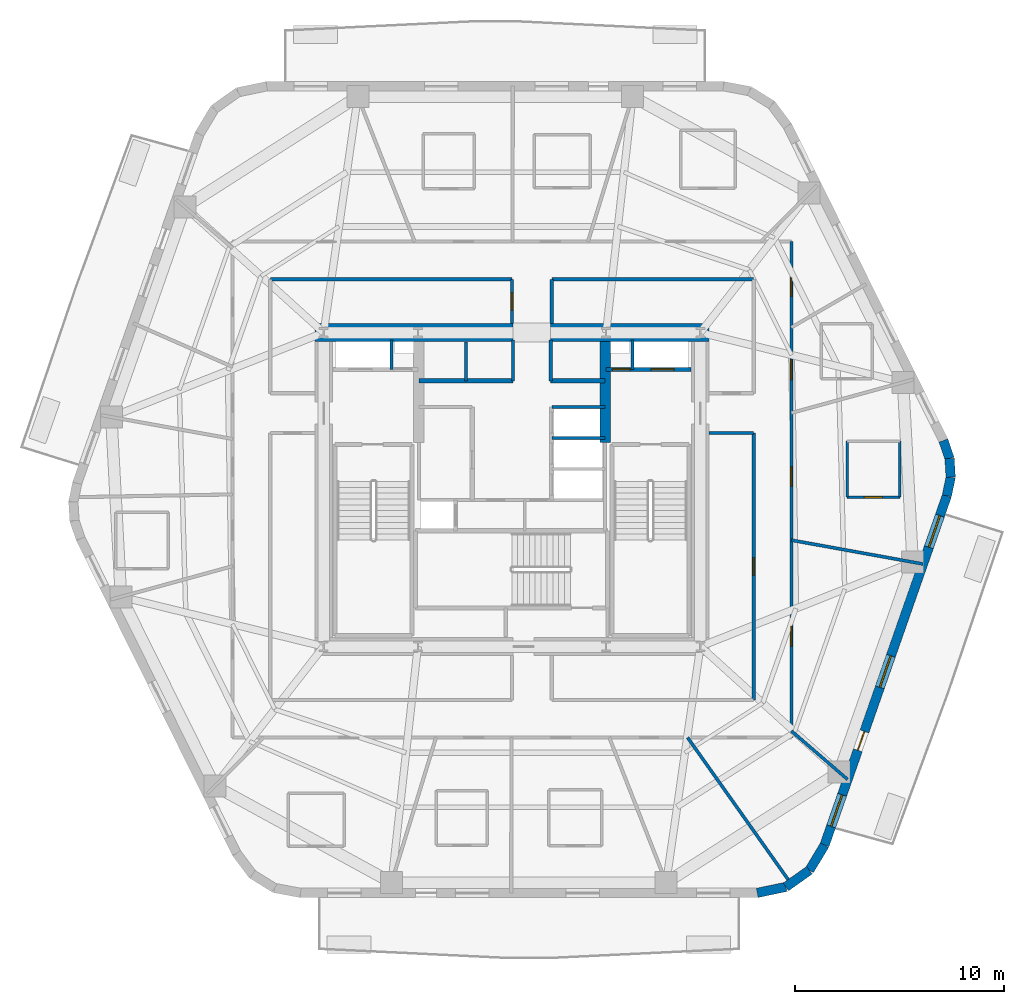
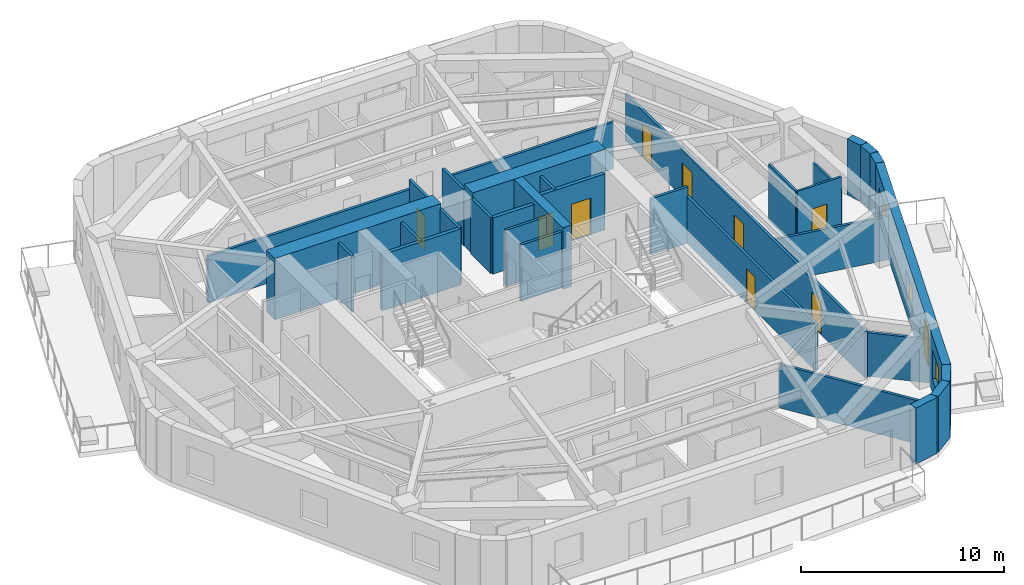
# One storey, part 5 of 11: 33 walls, 10 doors, 3 windows, 13 openings.
"""IFC4 building model written with IfcOpenShell, lengths in metres."""

from ifc_helpers import new_model, si_unit, direction, frame, frame_2d, origin, place, context, subcontext, project, spatial, rectangle, extrude, material, layer, layer_set, type_object, element, fill, save


model = new_model("IFC4")

# Units and contexts
model_context = context("Model", 3, precision=1e-05, world=origin(), true_north=direction((0.0, 1.0)))
body_context = subcontext(model_context, "Body", "Model", "MODEL_VIEW")
ifc_project = project(units=[si_unit("LENGTHUNIT", "METRE"), si_unit("AREAUNIT", "SQUARE_METRE"), si_unit("VOLUMEUNIT", "CUBIC_METRE"), si_unit("PLANEANGLEUNIT", "RADIAN"), si_unit("MASSUNIT", "GRAM", prefix="KILO")], contexts=[model_context])

# Site, building, storey
site_placement = place(None, origin())
site = spatial("IfcSite", under=ifc_project, at=site_placement, CompositionType="ELEMENT")
building_placement = place(site_placement, origin())
building = spatial("IfcBuilding", under=site, at=building_placement, Name="Kilnhurst Terrace Hotel", CompositionType="ELEMENT")
storey_placement = place(building_placement, frame((0.0, 0.0, 166.5)))
storey = spatial("IfcBuildingStorey", under=building, at=storey_placement, Name="L41", CompositionType="ELEMENT", Elevation=166.5)

# Walls
ifc_material_1 = material(Name="Precast concrete C40/50", Category="concrete")
ifc_layer_1 = layer(ifc_material_1, 0.449951171875, Name="Precast concrete C40/50")
ifc_layer_set_1 = layer_set([ifc_layer_1], Name="Precast concrete C40/50")
wall_type_1 = type_object("IfcWallType", Name="WL-BRK-450", PredefinedType="SOLIDWALL", material=ifc_layer_set_1)
wall_1_placement = place(storey_placement, frame((11.720458984375, -19.27490234375, 0.0), z_axis=(0.0, 0.0, 1.0), x_axis=(0.97893106758, 0.204191001093, 0.0)))
element("IfcWall", 1, at=wall_1_placement, inside=storey, type_object=wall_type_1, Name="L41 Rounded Corner Brick Wall C2.1", PredefinedType="SOLIDWALL", context=body_context, shape_type="SweptSolid", body=[
    extrude(rectangle(XDim=1.400146484375, YDim=0.449951171875, at=frame_2d((0.7001953125, 0.0))), origin(), (0.0, 0.0, 1.0), 3.3798828125),
])
wall_2_placement = place(storey_placement, frame((13.091064453125, -18.989013671875, 0.0), z_axis=(0.0, 0.0, 1.0), x_axis=(0.815574637848, 0.578651890258, 0.0)))
element("IfcWall", 2, at=wall_2_placement, inside=storey, type_object=wall_type_1, Name="L41 Rounded Corner Brick Wall C2.2", PredefinedType="SOLIDWALL", context=body_context, shape_type="SweptSolid", body=[
    extrude(rectangle(XDim=1.376708984375, YDim=0.449951171875, at=frame_2d((0.6884765625, 0.0))), origin(), (0.0, 0.0, 1.0), 3.3798828125),
])
wall_3_placement = place(storey_placement, frame((14.2138671875, -18.1923828125, 0.0), z_axis=(0.0, 0.0, 1.0), x_axis=(0.516340945502, 0.856383108193, 0.0)))
element("IfcWall", 3, at=wall_3_placement, inside=storey, type_object=wall_type_1, Name="L41 Rounded Corner Brick Wall C2.3", PredefinedType="SOLIDWALL", context=body_context, shape_type="SweptSolid", body=[
    extrude(rectangle(XDim=1.400146484375, YDim=0.449951171875, at=frame_2d((0.7001953125, 0.0))), origin(), (0.0, 0.0, 1.0), 3.3798828125),
])
wall_4_placement = place(storey_placement, frame((20.78173828125, -0.298095703125, 0.0), z_axis=(0.0, 0.0, 1.0), x_axis=(0.202570068411, 0.979267771033, 0.0)))
element("IfcWall", 4, at=wall_4_placement, inside=storey, type_object=wall_type_1, Name="L41 Rounded Corner Brick Wall C3.1", PredefinedType="SOLIDWALL", context=body_context, shape_type="SweptSolid", body=[
    extrude(rectangle(XDim=0.90869140625, YDim=0.449951171875, at=frame_2d((0.454345703125, 0.0))), origin(), (0.0, 0.0, 1.0), 3.3798828125),
])
wall_5_placement = place(storey_placement, frame((20.9658203125, 0.591796875, 0.0), z_axis=(0.0, 0.0, 1.0), x_axis=(-0.061748898935, 0.998091715966, 0.0)))
element("IfcWall", 5, at=wall_5_placement, inside=storey, type_object=wall_type_1, Name="L41 Rounded Corner Brick Wall C3.2", PredefinedType="SOLIDWALL", context=body_context, shape_type="SweptSolid", body=[
    extrude(rectangle(XDim=0.8935546875, YDim=0.449951171875, at=frame_2d((0.44677734375, 0.0))), origin(), (0.0, 0.0, 1.0), 3.3798828125),
])
wall_6_placement = place(storey_placement, frame((20.91064453125, 1.483642578125, 0.0), z_axis=(0.0, 0.0, 1.0), x_axis=(-0.321623334353, 0.946867694453, 0.0)))
element("IfcWall", 6, at=wall_6_placement, inside=storey, type_object=wall_type_1, Name="L41 Rounded Corner Brick Wall C3.3", PredefinedType="SOLIDWALL", context=body_context, shape_type="SweptSolid", body=[
    extrude(rectangle(XDim=0.90869140625, YDim=0.449951171875, at=frame_2d((0.454345703125, 0.0))), origin(), (0.0, 0.0, 1.0), 3.3798828125),
])

# Wall, openings, door, windows
wall_7_placement = place(storey_placement, frame((14.936767578125, -16.993408203125, 0.0), z_axis=(0.0, 0.0, 1.0), x_axis=(0.330431575061, 0.943829949834, 0.0)))
wall_7 = element("IfcWall", 7, at=wall_7_placement, inside=storey, type_object=wall_type_1, Name="L41 Exterior Brick Facade Wall F2", PredefinedType="SOLIDWALL", context=body_context, shape_type="SweptSolid", body=[
    extrude(rectangle(XDim=17.68896484375, YDim=0.449951171875, at=frame_2d((8.844482421875, 0.0))), origin(), (0.0, 0.0, 1.0), 3.3798828125),
])
opening_1_placement = place(wall_7_placement, frame((4.806884765625, 0.0, 0.0)))
opening_1 = element("IfcOpeningElement", 8, at=opening_1_placement, cuts=wall_7, Name="Opening BD-950", PredefinedType="OPENING", context=body_context, shape_type="SweptSolid", body=[
    extrude(rectangle(XDim=0.949951171875, YDim=2.14990234375, at=frame_2d((0.47509765625, 1.074951171875))), frame((0.0, 0.23486328125, 0.0), z_axis=(0.0, -1.0, 0.0), x_axis=(1.0, 0.0, 0.0)), (0.0, 0.0, 1.0), 0.469970703125),
])
opening_2_placement = place(wall_7_placement, frame((0.949951171875, 0.0, 0.800048828125)))
opening_2 = element("IfcOpeningElement", 9, at=opening_2_placement, cuts=wall_7, Name="Opening W-05", PredefinedType="OPENING", context=body_context, shape_type="SweptSolid", body=[
    extrude(rectangle(XDim=1.60009765625, YDim=1.75, at=frame_2d((0.800048828125, 0.875))), frame((0.0, 0.23486328125, 0.0), z_axis=(0.0, -1.0, 0.0), x_axis=(1.0, 0.0, 0.0)), (0.0, 0.0, 1.0), 0.469970703125),
])
opening_3_placement = place(wall_7_placement, frame((7.989990234375, 0.0, 0.800048828125)))
opening_3 = element("IfcOpeningElement", 10, at=opening_3_placement, cuts=wall_7, Name="Opening W-05", PredefinedType="OPENING", context=body_context, shape_type="SweptSolid", body=[
    extrude(rectangle(XDim=1.60009765625, YDim=1.75, at=frame_2d((0.800048828125, 0.875))), frame((0.0, 0.23486328125, 0.0), z_axis=(0.0, -1.0, 0.0), x_axis=(1.0, 0.0, 0.0)), (0.0, 0.0, 1.0), 0.469970703125),
])
opening_4_placement = place(wall_7_placement, frame((15.083984375, 0.0, 0.800048828125)))
opening_4 = element("IfcOpeningElement", 11, at=opening_4_placement, cuts=wall_7, Name="Opening W-05", PredefinedType="OPENING", context=body_context, shape_type="SweptSolid", body=[
    extrude(rectangle(XDim=1.60009765625, YDim=1.75, at=frame_2d((0.800048828125, 0.875))), frame((0.0, 0.23486328125, 0.0), z_axis=(0.0, -1.0, 0.0), x_axis=(1.0, 0.0, 0.0)), (0.0, 0.0, 1.0), 0.469970703125),
])
ifc_material_2 = material(Name="Thermally Broken Bronze Aluminium Alloy 6063-T6 and Laminated Glass", Category="aluminium")
door_type_1 = type_object("IfcDoorType", Name="DR-EXT-BAL-950", OperationType="NOTDEFINED", PredefinedType="DOOR", material=ifc_material_2)
door_1_placement = place(opening_1_placement, origin())
door_1 = element("IfcDoor", 12, at=door_1_placement, inside=storey, type_object=door_type_1, Name="L41 Planted Balcony Door BAL-L1B", OperationType="SINGLE_SWING_RIGHT", OverallHeight=2.14990234375, OverallWidth=0.949951171875, PredefinedType="DOOR", context=body_context, shape_type="SweptSolid", body=[
    extrude(rectangle(XDim=0.949951171875, YDim=2.14990234375, at=frame_2d((0.47509765625, 1.074951171875))), frame((0.0, 0.02490234375, 0.0), z_axis=(0.0, -1.0, 0.0), x_axis=(1.0, 0.0, 0.0)), (0.0, 0.0, 1.0), 0.050048828125),
])
fill(opening_1, door_1)
ifc_material_3 = material(Name="Thermally Broken Bronze Aluminium Alloy 6063-T6 and Low-E Glass", Category="aluminium")
window_type = type_object("IfcWindowType", Name="WIN-1600X1750", PartitioningType="SINGLE_PANEL", PredefinedType="WINDOW", material=ifc_material_3)
window_1_placement = place(opening_2_placement, origin())
window_1 = element("IfcWindow", 13, at=window_1_placement, inside=storey, type_object=window_type, Name="L41 Deep-Set Masonry Window F2.1", OverallHeight=1.75, OverallWidth=1.60009765625, PartitioningType="SINGLE_PANEL", PredefinedType="WINDOW", context=body_context, shape_type="SweptSolid", body=[
    extrude(rectangle(XDim=1.60009765625, YDim=1.75, at=frame_2d((0.800048828125, 0.875))), frame((0.0, 0.030029296875, 0.0), z_axis=(0.0, -1.0, 0.0), x_axis=(1.0, 0.0, 0.0)), (0.0, 0.0, 1.0), 0.06005859375),
])
fill(opening_2, window_1)
window_2_placement = place(opening_3_placement, origin())
window_2 = element("IfcWindow", 14, at=window_2_placement, inside=storey, type_object=window_type, Name="L41 Deep-Set Masonry Window F2.2", OverallHeight=1.75, OverallWidth=1.60009765625, PartitioningType="SINGLE_PANEL", PredefinedType="WINDOW", context=body_context, shape_type="SweptSolid", body=[
    extrude(rectangle(XDim=1.60009765625, YDim=1.75, at=frame_2d((0.800048828125, 0.875))), frame((0.0, 0.030029296875, 0.0), z_axis=(0.0, -1.0, 0.0), x_axis=(1.0, 0.0, 0.0)), (0.0, 0.0, 1.0), 0.06005859375),
])
fill(opening_3, window_2)
window_3_placement = place(opening_4_placement, origin())
window_3 = element("IfcWindow", 15, at=window_3_placement, inside=storey, type_object=window_type, Name="L41 Deep-Set Masonry Window F2.3", OverallHeight=1.75, OverallWidth=1.60009765625, PartitioningType="SINGLE_PANEL", PredefinedType="WINDOW", context=body_context, shape_type="SweptSolid", body=[
    extrude(rectangle(XDim=1.60009765625, YDim=1.75, at=frame_2d((0.800048828125, 0.875))), frame((0.0, 0.030029296875, 0.0), z_axis=(0.0, -1.0, 0.0), x_axis=(1.0, 0.0, 0.0)), (0.0, 0.0, 1.0), 0.06005859375),
])
fill(opening_4, window_3)

# Wall, openings, doors
ifc_material_4 = material(Name="Acoustic Double-Gypsum Corridor Partition Assembly")
ifc_layer_2 = layer(ifc_material_4, 0.14990234375, Name="Acoustic Double-Gypsum Corridor Partition Assembly")
ifc_layer_set_2 = layer_set([ifc_layer_2], Name="Acoustic Double-Gypsum Corridor Partition Assembly")
wall_type_2 = type_object("IfcWallType", Name="WL-COR-150", PredefinedType="PARTITIONING", material=ifc_layer_set_2)
wall_8_placement = place(storey_placement, frame((13.35009765625, 11.85009765625, 0.0), z_axis=(0.0, 0.0, 1.0), x_axis=(0.0, -1.0, 0.0)))
wall_8 = element("IfcWall", 16, at=wall_8_placement, inside=storey, type_object=wall_type_2, Name="L41 Interior Wall WL-L41-COR-04", PredefinedType="PARTITIONING", context=body_context, shape_type="SweptSolid", body=[
    extrude(rectangle(XDim=23.7001953125, YDim=0.14990234375, at=frame_2d((11.85009765625, 0.0))), origin(), (0.0, 0.0, 1.0), 2.820068359375),
])
opening_5_placement = place(wall_8_placement, frame((5.652099609375, 0.0, 0.0)))
opening_5 = element("IfcOpeningElement", 17, at=opening_5_placement, cuts=wall_8, Name="Opening D-60B", PredefinedType="OPENING", context=body_context, shape_type="SweptSolid", body=[
    extrude(rectangle(XDim=0.949951171875, YDim=2.030029296875, at=frame_2d((0.47509765625, 1.01513671875))), frame((0.0, 0.0849609375, 0.0), z_axis=(0.0, -1.0, 0.0), x_axis=(1.0, 0.0, 0.0)), (0.0, 0.0, 1.0), 0.169921875),
])
opening_6_placement = place(wall_8_placement, frame((1.720947265625, 0.0, 0.0)))
opening_6 = element("IfcOpeningElement", 18, at=opening_6_placement, cuts=wall_8, Name="Opening D-60C", PredefinedType="OPENING", context=body_context, shape_type="SweptSolid", body=[
    extrude(rectangle(XDim=0.89990234375, YDim=2.030029296875, at=frame_2d((0.449951171875, 1.01513671875))), frame((0.0, 0.0849609375, 0.0), z_axis=(0.0, -1.0, 0.0), x_axis=(1.0, 0.0, 0.0)), (0.0, 0.0, 1.0), 0.169921875),
])
opening_7_placement = place(wall_8_placement, frame((18.388916015625, 0.0, 0.0)))
opening_7 = element("IfcOpeningElement", 19, at=opening_7_placement, cuts=wall_8, Name="Opening D-60B", PredefinedType="OPENING", context=body_context, shape_type="SweptSolid", body=[
    extrude(rectangle(XDim=0.949951171875, YDim=2.030029296875, at=frame_2d((0.47509765625, 1.01513671875))), frame((0.0, 0.0849609375, 0.0), z_axis=(0.0, -1.0, 0.0), x_axis=(1.0, 0.0, 0.0)), (0.0, 0.0, 1.0), 0.169921875),
])
opening_8_placement = place(wall_8_placement, frame((10.7509765625, 0.0, 0.0)))
opening_8 = element("IfcOpeningElement", 20, at=opening_8_placement, cuts=wall_8, Name="Opening D-60B", PredefinedType="OPENING", context=body_context, shape_type="SweptSolid", body=[
    extrude(rectangle(XDim=0.949951171875, YDim=2.030029296875, at=frame_2d((0.47509765625, 1.01513671875))), frame((0.0, 0.0849609375, 0.0), z_axis=(0.0, -1.0, 0.0), x_axis=(1.0, 0.0, 0.0)), (0.0, 0.0, 1.0), 0.169921875),
])
ifc_material_5 = material(Name="Painted Solid-Core Service Fire Door")
door_type_2 = type_object("IfcDoorType", Name="DR-FD60-900", OperationType="NOTDEFINED", PredefinedType="DOOR", material=ifc_material_5)
door_2_placement = place(opening_6_placement, origin())
door_2 = element("IfcDoor", 21, at=door_2_placement, inside=storey, type_object=door_type_2, Name="L41 Private Study Salon Door 2", OperationType="SINGLE_SWING_RIGHT", OverallHeight=2.030029296875, OverallWidth=0.89990234375, PredefinedType="DOOR", context=body_context, shape_type="SweptSolid", body=[
    extrude(rectangle(XDim=0.89990234375, YDim=2.030029296875, at=frame_2d((0.449951171875, 1.01513671875))), frame((0.0, 0.02490234375, 0.0), z_axis=(0.0, -1.0, 0.0), x_axis=(1.0, 0.0, 0.0)), (0.0, 0.0, 1.0), 0.050048828125),
])
fill(opening_6, door_2)
ifc_material_6 = material(Name="Acoustic Walnut Veneer Solid-Core Fire Door")
door_type_3 = type_object("IfcDoorType", Name="DR-FD60-950", OperationType="NOTDEFINED", PredefinedType="DOOR", material=ifc_material_6)
door_3_placement = place(opening_5_placement, origin())
door_3 = element("IfcDoor", 22, at=door_3_placement, inside=storey, type_object=door_type_3, Name="L41 Guest Room Entry Door 1", OperationType="SINGLE_SWING_LEFT", OverallHeight=2.030029296875, OverallWidth=0.949951171875, PredefinedType="DOOR", context=body_context, shape_type="SweptSolid", body=[
    extrude(rectangle(XDim=0.949951171875, YDim=2.030029296875, at=frame_2d((0.47509765625, 1.01513671875))), frame((0.0, 0.02490234375, 0.0), z_axis=(0.0, -1.0, 0.0), x_axis=(1.0, 0.0, 0.0)), (0.0, 0.0, 1.0), 0.050048828125),
])
fill(opening_5, door_3)
door_4_placement = place(opening_7_placement, origin())
door_4 = element("IfcDoor", 23, at=door_4_placement, inside=storey, type_object=door_type_3, Name="L41 Executive Office Door", OperationType="SINGLE_SWING_LEFT", OverallHeight=2.030029296875, OverallWidth=0.949951171875, PredefinedType="DOOR", context=body_context, shape_type="SweptSolid", body=[
    extrude(rectangle(XDim=0.949951171875, YDim=2.030029296875, at=frame_2d((0.47509765625, 1.01513671875))), frame((0.0, 0.02490234375, 0.0), z_axis=(0.0, -1.0, 0.0), x_axis=(1.0, 0.0, 0.0)), (0.0, 0.0, 1.0), 0.050048828125),
])
fill(opening_7, door_4)
door_5_placement = place(opening_8_placement, origin())
door_5 = element("IfcDoor", 24, at=door_5_placement, inside=storey, type_object=door_type_3, Name="L41 Guest Room Entry Door 18", OperationType="SINGLE_SWING_RIGHT", OverallHeight=2.030029296875, OverallWidth=0.949951171875, PredefinedType="DOOR", context=body_context, shape_type="SweptSolid", body=[
    extrude(rectangle(XDim=0.949951171875, YDim=2.030029296875, at=frame_2d((0.47509765625, 1.01513671875))), frame((0.0, 0.02490234375, 0.0), z_axis=(0.0, -1.0, 0.0), x_axis=(1.0, 0.0, 0.0)), (0.0, 0.0, 1.0), 0.050048828125),
])
fill(opening_8, door_5)

# Wall, opening, door
wall_9_placement = place(storey_placement, frame((11.550048828125, -10.050048828125, 0.0), z_axis=(0.0, 0.0, 1.0), x_axis=(0.0, 1.0, 0.0)))
wall_9 = element("IfcWall", 25, at=wall_9_placement, inside=storey, type_object=wall_type_2, Name="L41 Interior Wall WL-L41-COR-05", PredefinedType="PARTITIONING", context=body_context, shape_type="SweptSolid", body=[
    extrude(rectangle(XDim=12.75, YDim=0.14990234375, at=frame_2d((6.375, 0.0))), origin(), (0.0, 0.0, 1.0), 2.820068359375),
])
opening_9_placement = place(wall_9_placement, frame((5.949951171875, 0.0, 0.0)))
opening_9 = element("IfcOpeningElement", 26, at=opening_9_placement, cuts=wall_9, Name="Opening D-60D", PredefinedType="OPENING", context=body_context, shape_type="SweptSolid", body=[
    extrude(rectangle(XDim=0.85009765625, YDim=2.030029296875, at=frame_2d((0.425048828125, 1.01513671875))), frame((0.0, 0.0849609375, 0.0), z_axis=(0.0, -1.0, 0.0), x_axis=(1.0, 0.0, 0.0)), (0.0, 0.0, 1.0), 0.169921875),
])
ifc_material_7 = material(Name="Painted Hollow Metal Steel ASTM A36 Riser Door", Category="steel")
door_type_4 = type_object("IfcDoorType", Name="DR-FD60-850", OperationType="NOTDEFINED", PredefinedType="DOOR", material=ifc_material_7)
door_6_placement = place(opening_9_placement, origin())
door_6 = element("IfcDoor", 27, at=door_6_placement, inside=storey, type_object=door_type_4, Name="L41 Floor Electrical Switch Room Door", OperationType="SINGLE_SWING_RIGHT", OverallHeight=2.030029296875, OverallWidth=0.85009765625, PredefinedType="DOOR", context=body_context, shape_type="SweptSolid", body=[
    extrude(rectangle(XDim=0.85009765625, YDim=2.030029296875, at=frame_2d((0.425048828125, 1.01513671875))), frame((0.0, 0.02490234375, 0.0), z_axis=(0.0, -1.0, 0.0), x_axis=(1.0, 0.0, 0.0)), (0.0, 0.0, 1.0), 0.050048828125),
])
fill(opening_9, door_6)

# Walls
wall_10_placement = place(storey_placement, frame((11.550048828125, 2.699951171875, 0.0), z_axis=(0.0, 0.0, 1.0), x_axis=(-1.0, 0.0, 0.0)))
element("IfcWall", 28, at=wall_10_placement, inside=storey, type_object=wall_type_2, Name="L41 Interior Wall WL-L41-COR-06", PredefinedType="PARTITIONING", context=body_context, shape_type="SweptSolid", body=[
    extrude(rectangle(XDim=2.125, YDim=0.14990234375, at=frame_2d((1.0625, 0.0))), origin(), (0.0, 0.0, 1.0), 3.3798828125),
])
wall_11_placement = place(storey_placement, frame((11.550048828125, 10.050048828125, 0.0), z_axis=(0.0, 0.0, 1.0), x_axis=(-1.0, 0.0, 0.0)))
element("IfcWall", 29, at=wall_11_placement, inside=storey, type_object=wall_type_2, Name="L41 Interior Wall WL-L41-COR-09", PredefinedType="PARTITIONING", context=body_context, shape_type="SweptSolid", body=[
    extrude(rectangle(XDim=9.650146484375, YDim=0.14990234375, at=frame_2d((4.8251953125, 0.0))), origin(), (0.0, 0.0, 1.0), 2.820068359375),
])
wall_12_placement = place(storey_placement, frame((1.89990234375, 10.050048828125, 0.0), z_axis=(0.0, 0.0, 1.0), x_axis=(0.0, -1.0, 0.0)))
element("IfcWall", 30, at=wall_12_placement, inside=storey, type_object=wall_type_2, Name="L41 Interior Wall WL-L41-COR-10", PredefinedType="PARTITIONING", context=body_context, shape_type="SweptSolid", body=[
    extrude(rectangle(XDim=2.125, YDim=0.14990234375, at=frame_2d((1.0625, 0.0))), origin(), (0.0, 0.0, 1.0), 3.3798828125),
])

# Wall, opening, door
wall_13_placement = place(storey_placement, frame((0.0, 7.925048828125, 0.0), z_axis=(0.0, 0.0, 1.0), x_axis=(0.0, 1.0, 0.0)))
wall_13 = element("IfcWall", 31, at=wall_13_placement, inside=storey, type_object=wall_type_2, Name="L41 Interior Wall WL-L41-COR-11", PredefinedType="PARTITIONING", context=body_context, shape_type="SweptSolid", body=[
    extrude(rectangle(XDim=2.125, YDim=0.14990234375, at=frame_2d((1.0625, 0.0))), origin(), (0.0, 0.0, 1.0), 3.3798828125),
])
opening_10_placement = place(wall_13_placement, frame((0.637939453125, 0.0, 0.0)))
opening_10 = element("IfcOpeningElement", 32, at=opening_10_placement, cuts=wall_13, Name="Opening D-60D", PredefinedType="OPENING", context=body_context, shape_type="SweptSolid", body=[
    extrude(rectangle(XDim=0.85009765625, YDim=2.030029296875, at=frame_2d((0.425048828125, 1.01513671875))), frame((0.0, 0.0849609375, 0.0), z_axis=(0.0, -1.0, 0.0), x_axis=(1.0, 0.0, 0.0)), (0.0, 0.0, 1.0), 0.169921875),
])
door_7_placement = place(opening_10_placement, origin())
door_7 = element("IfcDoor", 33, at=door_7_placement, inside=storey, type_object=door_type_4, Name="L41 Floor Valet Equipment Store Door", OperationType="SINGLE_SWING_RIGHT", OverallHeight=2.030029296875, OverallWidth=0.85009765625, PredefinedType="DOOR", context=body_context, shape_type="SweptSolid", body=[
    extrude(rectangle(XDim=0.85009765625, YDim=2.030029296875, at=frame_2d((0.425048828125, 1.01513671875))), frame((0.0, 0.02490234375, 0.0), z_axis=(0.0, -1.0, 0.0), x_axis=(1.0, 0.0, 0.0)), (0.0, 0.0, 1.0), 0.050048828125),
])
fill(opening_10, door_7)

# Walls
wall_14_placement = place(storey_placement, frame((0.0, 10.050048828125, 0.0), z_axis=(0.0, 0.0, 1.0), x_axis=(-1.0, 0.0, 0.0)))
element("IfcWall", 34, at=wall_14_placement, inside=storey, type_object=wall_type_2, Name="L41 Interior Wall WL-L41-COR-12", PredefinedType="PARTITIONING", context=body_context, shape_type="SweptSolid", body=[
    extrude(rectangle(XDim=11.550048828125, YDim=0.14990234375, at=frame_2d((5.77490234375, 0.0))), origin(), (0.0, 0.0, 1.0), 2.820068359375),
])
ifc_material_8 = material(Name="Concrete C80/95", Category="concrete")
ifc_layer_3 = layer(ifc_material_8, 0.85009765625, Name="Concrete C80/95")
ifc_layer_set_3 = layer_set([ifc_layer_3], Name="Concrete C80/95")
wall_type_3 = type_object("IfcWallType", Name="WL-CORE-850", PredefinedType="SHEAR", material=ifc_layer_set_3)
wall_15_placement = place(storey_placement, frame((-9.425048828125, 7.5, 0.0), z_axis=(0.0, 0.0, 1.0), x_axis=(1.0, 0.0, 0.0)))
element("IfcWall", 35, at=wall_15_placement, inside=storey, type_object=wall_type_3, Name="L41 Core North West Shear Wall", PredefinedType="SHEAR", context=body_context, shape_type="SweptSolid", body=[
    extrude(rectangle(XDim=9.47509765625, YDim=0.85009765625, at=frame_2d((4.737548828125, 0.0))), origin(), (0.0, 0.0, 1.0), 3.699951171875),
])
wall_16_placement = place(storey_placement, frame((1.85009765625, 7.5, 0.0), z_axis=(0.0, 0.0, 1.0), x_axis=(1.0, 0.0, 0.0)))
element("IfcWall", 36, at=wall_16_placement, inside=storey, type_object=wall_type_3, Name="L41 Core North East Shear Wall", PredefinedType="SHEAR", context=body_context, shape_type="SweptSolid", body=[
    extrude(rectangle(XDim=7.574951171875, YDim=0.85009765625, at=frame_2d((3.78759765625, 0.0))), origin(), (0.0, 0.0, 1.0), 3.699951171875),
])
ifc_material_9 = material(Name="Concrete C60/75", Category="concrete")
ifc_layer_4 = layer(ifc_material_9, 0.5, Name="Concrete C60/75")
ifc_layer_set_4 = layer_set([ifc_layer_4], Name="Concrete C60/75")
wall_type_4 = type_object("IfcWallType", Name="WL-CORE-WEB-500", PredefinedType="SHEAR", material=ifc_layer_set_4)
wall_17_placement = place(storey_placement, frame((4.449951171875, 2.25, 0.0), z_axis=(0.0, 0.0, 1.0), x_axis=(0.0, 1.0, 0.0)))
element("IfcWall", 37, at=wall_17_placement, inside=storey, type_object=wall_type_4, Name="L41 Core Internal East Shear Web", PredefinedType="SHEAR", context=body_context, shape_type="SweptSolid", body=[
    extrude(rectangle(XDim=4.824951171875, YDim=0.5, at=frame_2d((2.41259765625, 0.0))), origin(), (0.0, 0.0, 1.0), 3.699951171875),
])
ifc_material_10 = material(Name="STC-58 Acoustic Twin-Frame Guestroom Demising Partition")
ifc_layer_5 = layer(ifc_material_10, 0.14990234375, Name="STC-58 Acoustic Twin-Frame Guestroom Demising Partition")
ifc_layer_set_5 = layer_set([ifc_layer_5], Name="STC-58 Acoustic Twin-Frame Guestroom Demising Partition")
wall_type_5 = type_object("IfcWallType", Name="WL-DEM-150", PredefinedType="PARTITIONING", material=ifc_layer_set_5)
wall_18_placement = place(storey_placement, frame((8.390380859375, -11.85009765625, 0.0), z_axis=(0.0, 0.0, 1.0), x_axis=(0.577877530264, -0.816123495566, 0.0)))
element("IfcWall", 38, at=wall_18_placement, inside=storey, type_object=wall_type_5, Name="L41 Interior Wall WL-L41-DEM-MID10-16-1", PredefinedType="PARTITIONING", context=body_context, shape_type="SweptSolid", body=[
    extrude(rectangle(XDim=8.38232421875, YDim=0.14990234375, at=frame_2d((4.191162109375, 0.0))), origin(), (0.0, 0.0, 1.0), 2.6201171875),
])
wall_19_placement = place(storey_placement, frame((13.35009765625, -11.53271484375, 0.0), z_axis=(0.0, 0.0, 1.0), x_axis=(0.756711647314, -0.65374879183, 0.0)))
element("IfcWall", 39, at=wall_19_placement, inside=storey, type_object=wall_type_5, Name="L41 Interior Wall WL-L41-DEM-COL11-17-1", PredefinedType="PARTITIONING", context=body_context, shape_type="SweptSolid", body=[
    extrude(rectangle(XDim=3.549560546875, YDim=0.14990234375, at=frame_2d((1.77490234375, 0.0))), origin(), (0.0, 0.0, 1.0), 2.6201171875),
])
wall_20_placement = place(storey_placement, frame((13.35009765625, -2.417236328125, 0.0), z_axis=(0.0, 0.0, 1.0), x_axis=(0.98399796473, -0.178179699761, 0.0)))
element("IfcWall", 40, at=wall_20_placement, inside=storey, type_object=wall_type_5, Name="L41 Interior Wall WL-L41-DEM-COL12-18-1", PredefinedType="PARTITIONING", context=body_context, shape_type="SweptSolid", body=[
    extrude(rectangle(XDim=6.393310546875, YDim=0.14990234375, at=frame_2d((3.19677734375, 0.0))), origin(), (0.0, 0.0, 1.0), 2.6201171875),
])

# Wall, opening, door
ifc_material_11 = material(Name="120 mm Moisture-Resistant Tile-Backed Bathroom Partition")
ifc_layer_6 = layer(ifc_material_11, 0.1201171875, Name="120 mm Moisture-Resistant Tile-Backed Bathroom Partition")
ifc_layer_set_6 = layer_set([ifc_layer_6], Name="120 mm Moisture-Resistant Tile-Backed Bathroom Partition")
wall_type_6 = type_object("IfcWallType", Name="WL-PART-120", PredefinedType="PARTITIONING", material=ifc_layer_set_6)
wall_21_placement = place(storey_placement, frame((16.010009765625, -0.366943359375, 0.0), z_axis=(0.0, 0.0, 1.0), x_axis=(1.0, 0.0, 0.0)))
wall_21 = element("IfcWall", 41, at=wall_21_placement, inside=storey, type_object=wall_type_6, Name="L41 Interior Wall WL-L41-BTH-18-1", PredefinedType="PARTITIONING", context=body_context, shape_type="SweptSolid", body=[
    extrude(rectangle(XDim=2.52001953125, YDim=0.1201171875, at=frame_2d((1.260009765625, 0.0))), origin(), (0.0, 0.0, 1.0), 3.3798828125),
])
opening_11_placement = place(wall_21_placement, frame((0.8349609375, 0.0, 0.0)))
opening_11 = element("IfcOpeningElement", 42, at=opening_11_placement, cuts=wall_21, Name="Opening D-08A", PredefinedType="OPENING", context=body_context, shape_type="SweptSolid", body=[
    extrude(rectangle(XDim=0.85009765625, YDim=2.030029296875, at=frame_2d((0.425048828125, 1.01513671875))), frame((0.0, 0.070068359375, 0.0), z_axis=(0.0, -1.0, 0.0), x_axis=(1.0, 0.0, 0.0)), (0.0, 0.0, 1.0), 0.14013671875),
])
ifc_material_12 = material(Name="Moisture-Resistant Lacquered En-suite Bathroom Door")
door_type_5 = type_object("IfcDoorType", Name="DR-INT-850", OperationType="NOTDEFINED", PredefinedType="DOOR", material=ifc_material_12)
door_8_placement = place(opening_11_placement, origin())
door_8 = element("IfcDoor", 43, at=door_8_placement, inside=storey, type_object=door_type_5, Name="L41 En-suite Bathroom Door 18", OperationType="SINGLE_SWING_LEFT", OverallHeight=2.030029296875, OverallWidth=0.85009765625, PredefinedType="DOOR", context=body_context, shape_type="SweptSolid", body=[
    extrude(rectangle(XDim=0.85009765625, YDim=2.030029296875, at=frame_2d((0.425048828125, 1.01513671875))), frame((0.0, 0.02490234375, 0.0), z_axis=(0.0, -1.0, 0.0), x_axis=(1.0, 0.0, 0.0)), (0.0, 0.0, 1.0), 0.050048828125),
])
fill(opening_11, door_8)

# Walls
wall_22_placement = place(storey_placement, frame((18.530029296875, -0.366943359375, 0.0), z_axis=(0.0, 0.0, 1.0), x_axis=(0.0, 1.0, 0.0)))
element("IfcWall", 44, at=wall_22_placement, inside=storey, type_object=wall_type_6, Name="L41 Interior Wall WL-L41-BTH-18-2", PredefinedType="PARTITIONING", context=body_context, shape_type="SweptSolid", body=[
    extrude(rectangle(XDim=2.679931640625, YDim=0.1201171875, at=frame_2d((1.33984375, 0.0))), origin(), (0.0, 0.0, 1.0), 2.6201171875),
])
wall_23_placement = place(storey_placement, frame((16.010009765625, 2.31298828125, 0.0), z_axis=(0.0, 0.0, 1.0), x_axis=(0.0, -1.0, 0.0)))
element("IfcWall", 45, at=wall_23_placement, inside=storey, type_object=wall_type_6, Name="L41 Interior Wall WL-L41-BTH-18-4", PredefinedType="PARTITIONING", context=body_context, shape_type="SweptSolid", body=[
    extrude(rectangle(XDim=2.679931640625, YDim=0.1201171875, at=frame_2d((1.33984375, 0.0))), origin(), (0.0, 0.0, 1.0), 3.3798828125),
])
ifc_material_13 = material(Name="Fire-Rated Gypsum Shaftliner Assembly")
ifc_layer_7 = layer(ifc_material_13, 0.14990234375, Name="Fire-Rated Gypsum Shaftliner Assembly")
ifc_layer_set_7 = layer_set([ifc_layer_7], Name="Fire-Rated Gypsum Shaftliner Assembly")
wall_type_7 = type_object("IfcWallType", Name="WL-SHAFT-150", PredefinedType="PARTITIONING", material=ifc_layer_set_7)
for number, where, z_axis, x_axis, name in (
    (46, (-5.75, 5.739990234375, 0.0), (0.0, 0.0, 1.0), (0.0, 1.0, 0.0), "L41 Interior Wall WL-L41-RIS1-DIV"),
    (47, (5.75, 5.739990234375, 0.0), (0.0, 0.0, 1.0), (0.0, 1.0, 0.0), "L41 Interior Wall WL-L41-RIS2-DIV"),
):
    element("IfcWall", number, at=place(storey_placement, frame(where, z_axis=z_axis, x_axis=x_axis)), inside=storey, type_object=wall_type_7, Name=name, PredefinedType="PARTITIONING", context=body_context, shape_type="SweptSolid", body=[
        extrude(rectangle(XDim=1.409912109375, YDim=0.14990234375, at=frame_2d((0.705078125, 0.0))), origin(), (0.0, 0.0, 1.0), 3.3798828125),
    ])
wall_24_placement = place(storey_placement, frame((-2.199951171875, 5.199951171875, 0.0), z_axis=(0.0, 0.0, 1.0), x_axis=(0.0, 1.0, 0.0)))
element("IfcWall", 48, at=wall_24_placement, inside=storey, type_object=wall_type_7, Name="L41 Interior Wall WL-L41-HR-DIV1", PredefinedType="PARTITIONING", context=body_context, shape_type="SweptSolid", body=[
    extrude(rectangle(XDim=1.85009765625, YDim=0.14990234375, at=frame_2d((0.925048828125, 0.0))), origin(), (0.0, 0.0, 1.0), 3.3798828125),
])
for number, where, z_axis, x_axis, name in (
    (49, (0.050048828125, 5.199951171875, 0.0), (0.0, 0.0, 1.0), (0.0, 1.0, 0.0), "L41 Interior Wall WL-L41-HR-PORTAL-W"),
    (50, (1.85009765625, 5.199951171875, 0.0), (0.0, 0.0, 1.0), (0.0, 1.0, 0.0), "L41 Interior Wall WL-L41-HR-PORTAL-E"),
):
    element("IfcWall", number, at=place(storey_placement, frame(where, z_axis=z_axis, x_axis=x_axis)), inside=storey, type_object=wall_type_7, Name=name, PredefinedType="PARTITIONING", context=body_context, shape_type="SweptSolid", body=[
        extrude(rectangle(XDim=1.949951171875, YDim=0.14990234375, at=frame_2d((0.97509765625, 0.0))), origin(), (0.0, 0.0, 1.0), 3.3798828125),
    ])
for number, where, z_axis, x_axis, name in (
    (51, (1.89990234375, 3.93994140625, 0.0), (0.0, 0.0, 1.0), (1.0, 0.0, 0.0), "L41 Interior Wall WL-L41-MR-NORTH"),
    (52, (1.89990234375, 2.4599609375, 0.0), (0.0, 0.0, 1.0), (1.0, 0.0, 0.0), "L41 Interior Wall WL-L41-MR-D2"),
):
    element("IfcWall", number, at=place(storey_placement, frame(where, z_axis=z_axis, x_axis=x_axis)), inside=storey, type_object=wall_type_7, Name=name, PredefinedType="PARTITIONING", context=body_context, shape_type="SweptSolid", body=[
        extrude(rectangle(XDim=2.550048828125, YDim=0.14990234375, at=frame_2d((1.27490234375, 0.0))), origin(), (0.0, 0.0, 1.0), 3.3798828125),
    ])

# Wall, openings, doors
ifc_material_14 = material(Name="Autoclaved Aerated Concrete C30/37 and Gypsum Shaft Assembly", Category="concrete")
ifc_layer_8 = layer(ifc_material_14, 0.199951171875, Name="Autoclaved Aerated Concrete C30/37 and Gypsum Shaft Assembly")
ifc_layer_set_8 = layer_set([ifc_layer_8], Name="Autoclaved Aerated Concrete C30/37 and Gypsum Shaft Assembly")
wall_type_8 = type_object("IfcWallType", Name="WL-SHAFT-200", PredefinedType="PARTITIONING", material=ifc_layer_set_8)
wall_25_placement = place(storey_placement, frame((4.5, 5.739990234375, 0.0), z_axis=(0.0, 0.0, 1.0), x_axis=(1.0, 0.0, 0.0)))
wall_25 = element("IfcWall", 53, at=wall_25_placement, inside=storey, type_object=wall_type_8, Name="L41 Interior Wall WL-L41-FSAE2-S", PredefinedType="PARTITIONING", context=body_context, shape_type="SweptSolid", body=[
    extrude(rectangle(XDim=4.050048828125, YDim=0.199951171875, at=frame_2d((2.02490234375, 0.0))), origin(), (0.0, 0.0, 1.0), 3.3798828125),
])
opening_12_placement = place(wall_25_placement, frame((0.300048828125, 0.0, 0.0)))
opening_12 = element("IfcOpeningElement", 54, at=opening_12_placement, cuts=wall_25, Name="Opening D-60D", PredefinedType="OPENING", context=body_context, shape_type="SweptSolid", body=[
    extrude(rectangle(XDim=0.85009765625, YDim=2.030029296875, at=frame_2d((0.425048828125, 1.01513671875))), frame((0.0, 0.10986328125, 0.0), z_axis=(0.0, -1.0, 0.0), x_axis=(1.0, 0.0, 0.0)), (0.0, 0.0, 1.0), 0.219970703125),
])
opening_13_placement = place(wall_25_placement, frame((2.14990234375, 0.0, 0.0)))
opening_13 = element("IfcOpeningElement", 55, at=opening_13_placement, cuts=wall_25, Name="Opening LD-F2", PredefinedType="OPENING", context=body_context, shape_type="SweptSolid", body=[
    extrude(rectangle(XDim=1.10009765625, YDim=2.199951171875, at=frame_2d((0.550048828125, 1.10009765625))), frame((0.0, 0.10986328125, 0.0), z_axis=(0.0, -1.0, 0.0), x_axis=(1.0, 0.0, 0.0)), (0.0, 0.0, 1.0), 0.219970703125),
])
door_9_placement = place(opening_12_placement, origin())
door_9 = element("IfcDoor", 56, at=door_9_placement, inside=storey, type_object=door_type_4, Name="L41 Telecom Riser Door", OperationType="SINGLE_SWING_RIGHT", OverallHeight=2.030029296875, OverallWidth=0.85009765625, PredefinedType="DOOR", context=body_context, shape_type="SweptSolid", body=[
    extrude(rectangle(XDim=0.85009765625, YDim=2.030029296875, at=frame_2d((0.425048828125, 1.01513671875))), frame((0.0, 0.02490234375, 0.0), z_axis=(0.0, -1.0, 0.0), x_axis=(1.0, 0.0, 0.0)), (0.0, 0.0, 1.0), 0.050048828125),
])
fill(opening_12, door_9)
ifc_material_15 = material(Name="Bronze-Anodized Stainless Steel AISI 316L Sliding Door", Category="steel")
door_type_6 = type_object("IfcDoorType", Name="DR-LIFT-1100", OperationType="NOTDEFINED", PredefinedType="DOOR", material=ifc_material_15)
door_10_placement = place(opening_13_placement, origin())
door_10 = element("IfcDoor", 57, at=door_10_placement, inside=storey, type_object=door_type_6, Name="L41 FSAE-2 Landing Door", OperationType="SLIDING_TO_RIGHT", OverallHeight=2.199951171875, OverallWidth=1.10009765625, PredefinedType="DOOR", context=body_context, shape_type="SweptSolid", body=[
    extrude(rectangle(XDim=1.10009765625, YDim=2.199951171875, at=frame_2d((0.550048828125, 1.10009765625))), frame((0.0, 0.02490234375, 0.0), z_axis=(0.0, -1.0, 0.0), x_axis=(1.0, 0.0, 0.0)), (0.0, 0.0, 1.0), 0.050048828125),
])
fill(opening_13, door_10)

# Walls
wall_26_placement = place(storey_placement, frame((-4.449951171875, 5.199951171875, 0.0), z_axis=(0.0, 0.0, 1.0), x_axis=(1.0, 0.0, 0.0)))
element("IfcWall", 58, at=wall_26_placement, inside=storey, type_object=wall_type_8, Name="L41 Interior Wall WL-L41-HR-SW", PredefinedType="PARTITIONING", context=body_context, shape_type="SweptSolid", body=[
    extrude(rectangle(XDim=4.5, YDim=0.199951171875, at=frame_2d((2.25, 0.0))), origin(), (0.0, 0.0, 1.0), 3.3798828125),
])
wall_27_placement = place(storey_placement, frame((1.85009765625, 5.199951171875, 0.0), z_axis=(0.0, 0.0, 1.0), x_axis=(1.0, 0.0, 0.0)))
element("IfcWall", 59, at=wall_27_placement, inside=storey, type_object=wall_type_8, Name="L41 Interior Wall WL-L41-HR-SE", PredefinedType="PARTITIONING", context=body_context, shape_type="SweptSolid", body=[
    extrude(rectangle(XDim=2.599853515625, YDim=0.199951171875, at=frame_2d((1.2998046875, 0.0))), origin(), (0.0, 0.0, 1.0), 3.3798828125),
])

save(model, "model.ifc")
